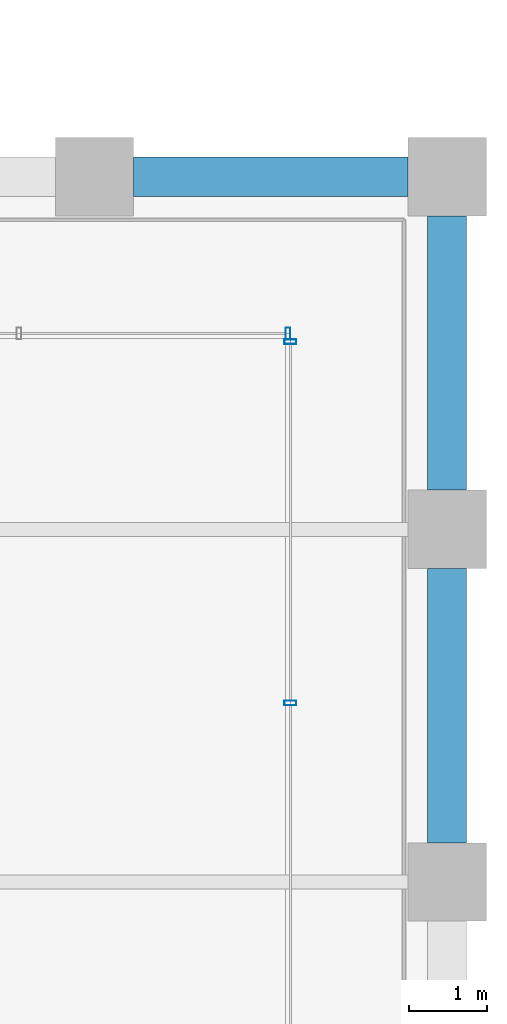
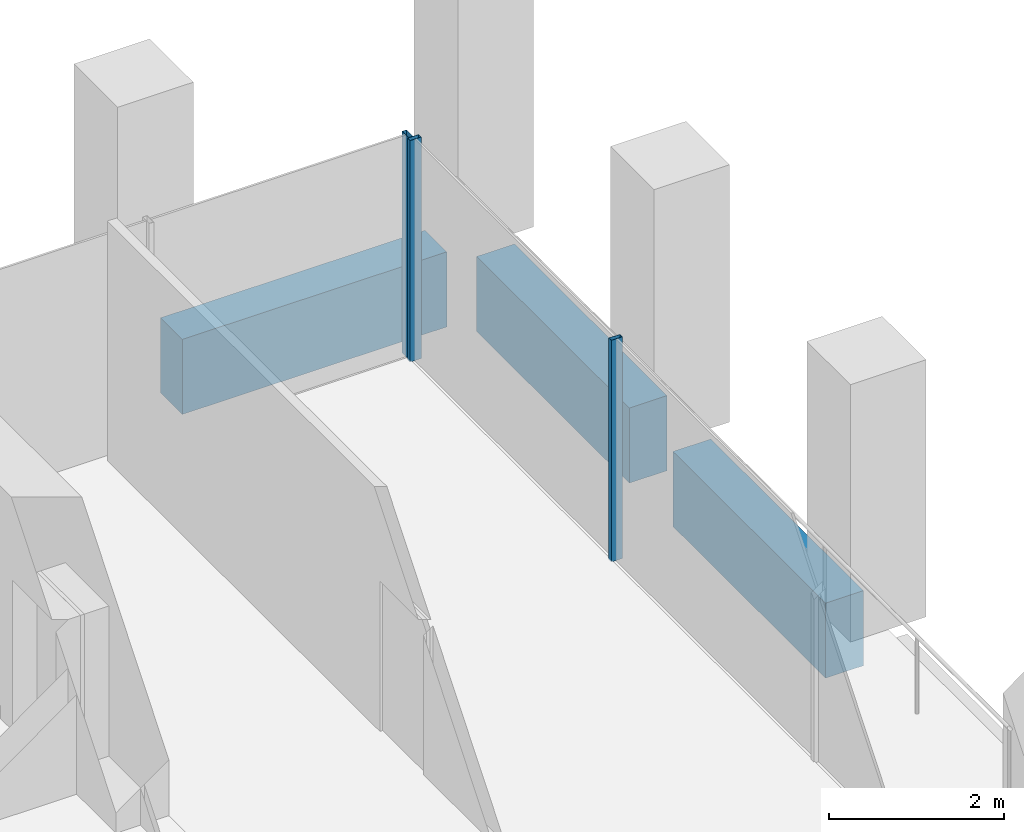
# One storey, part 38 of 45: 3 beams, 3 members, 2 elements without a shape of their own.
"""IFC4 building model written with IfcOpenShell, lengths in metres."""

from ifc_helpers import new_model, si_unit, direction, frame, origin, origin_2d, place, context, subcontext, project, spatial, rectangle, hollow_rectangle, extrude, material, material_profile, profile_set, type_object, element, aggregate, save


model = new_model("IFC4")

# Units and contexts
model_context = context("Model", 3, precision=1e-05, world=origin(), true_north=direction((0.0, 1.0)))
body_context = subcontext(model_context, "Body", "Model", "MODEL_VIEW")
ifc_project = project(units=[si_unit("LENGTHUNIT", "METRE"), si_unit("AREAUNIT", "SQUARE_METRE"), si_unit("VOLUMEUNIT", "CUBIC_METRE"), si_unit("PLANEANGLEUNIT", "RADIAN"), si_unit("MASSUNIT", "GRAM", prefix="KILO")], contexts=[model_context])

# Site, building, storey
site_placement = place(None, origin())
site = spatial("IfcSite", under=ifc_project, at=site_placement, CompositionType="ELEMENT")
building_placement = place(site_placement, origin())
building = spatial("IfcBuilding", under=site, at=building_placement, Name="Altepetl Exchange Towers", CompositionType="ELEMENT")
storey_placement = place(building_placement, frame((0.0, 0.0, 110.0)))
storey = spatial("IfcBuildingStorey", under=building, at=storey_placement, Name="L27", CompositionType="ELEMENT", Elevation=110.0)

# Curtain wall, members
ifc_material_1 = material(Name="Aluminium 6063-T6 glazing", Category="aluminium")
curtain_wall_type = type_object("IfcCurtainWallType", Name="Loggia glazing system", PredefinedType="NOTDEFINED", material=ifc_material_1)
curtain_wall_1_placement = place(storey_placement, origin())
curtain_wall_1 = element("IfcCurtainWall", 1, at=curtain_wall_1_placement, inside=storey, type_object=curtain_wall_type, Name="CW1 run", PredefinedType="NOTDEFINED")
ifc_material_2 = material(Name="Aluminium 6063-T6", Category="aluminium")
ifc_material_profile_1 = material_profile(ifc_material_2, hollow_rectangle(XDim=0.06005859375, YDim=0.14990234375, WallThickness=0.0029296875, at=origin_2d()), Name="Mullion 60x150 aluminium")
ifc_profile_set_1 = profile_set([ifc_material_profile_1], Name="Aluminium 6063-T6")
member_type = type_object("IfcMemberType", Name="Mullion 60x150 aluminium", PredefinedType="MULLION", material=ifc_profile_set_1)
member_1_placement = place(storey_placement, frame((124.0, 42.783447265625, 0.0), z_axis=(0.0, 0.0, 1.0), x_axis=(0.0, 1.0, 0.0)))
member_1 = element("IfcMember", 2, at=member_1_placement, type_object=member_type, Name="MU1 mullion", PredefinedType="MULLION", context=body_context, shape_type="SweptSolid", body=[
    extrude(hollow_rectangle(XDim=0.06005859375, YDim=0.14990234375, WallThickness=0.0029296875, at=origin_2d()), origin(), (0.0, 0.0, 1.0), 3.10009765625),
])
member_2_placement = place(storey_placement, frame((124.0, 47.39501953125, 0.0), z_axis=(0.0, 0.0, 1.0), x_axis=(0.0, 1.0, 0.0)))
member_2 = element("IfcMember", 3, at=member_2_placement, type_object=member_type, Name="MU1 mullion", PredefinedType="MULLION", context=body_context, shape_type="SweptSolid", body=[
    extrude(hollow_rectangle(XDim=0.06005859375, YDim=0.14990234375, WallThickness=0.0029296875, at=origin_2d()), origin(), (0.0, 0.0, 1.0), 3.10009765625),
])
aggregate(curtain_wall_1, [member_1, member_2])

# Curtain wall, member
curtain_wall_2_placement = place(storey_placement, origin())
curtain_wall_2 = element("IfcCurtainWall", 4, at=curtain_wall_2_placement, inside=storey, type_object=curtain_wall_type, Name="CW1 run", PredefinedType="NOTDEFINED")
member_3_placement = place(storey_placement, frame((123.969970703125, 47.5, 0.0), z_axis=(0.0, 0.0, 1.0), x_axis=(-1.0, 0.0, 0.0)))
member_3 = element("IfcMember", 5, at=member_3_placement, type_object=member_type, Name="MU1 mullion", PredefinedType="MULLION", context=body_context, shape_type="SweptSolid", body=[
    extrude(hollow_rectangle(XDim=0.06005859375, YDim=0.14990234375, WallThickness=0.0029296875, at=origin_2d()), origin(), (0.0, 0.0, 1.0), 3.10009765625),
])
aggregate(curtain_wall_2, [member_3])

# Beams
ifc_material_3 = material(Name="Concrete C50/60 precast with cantera amarilla facing", Category="concrete")
ifc_material_profile_2 = material_profile(ifc_material_3, rectangle(XDim=0.5, YDim=1.050048828125, at=origin_2d()), Name="500 x 1050")
ifc_profile_set_2 = profile_set([ifc_material_profile_2], Name="Concrete C50/60 precast with cantera amarilla facing")
beam_type_1 = type_object("IfcBeamType", Name="Spandrel beam 500x1050 cantera amarilla", PredefinedType="SPANDREL", material=ifc_profile_set_2)
beam_placement = place(storey_placement, frame((125.5, 49.5, -0.675048828125), z_axis=(-1.0, 0.0, 0.0), x_axis=(0.0, -1.0, 0.0)))
element("IfcBeam", 6, at=beam_placement, inside=storey, type_object=beam_type_1, Name="sp:B:L27:013", PredefinedType="SPANDREL", context=body_context, shape_type="SweptSolid", body=[
    extrude(rectangle(XDim=0.5, YDim=1.050048828125, at=origin_2d()), origin(), (0.0, 0.0, 1.0), 3.5),
])
ifc_material_4 = material(Name="Concrete C50/60 precast with cantera blanca facing", Category="concrete")
ifc_material_profile_3 = material_profile(ifc_material_4, rectangle(XDim=0.5, YDim=1.050048828125, at=origin_2d()), Name="500 x 1050")
ifc_profile_set_3 = profile_set([ifc_material_profile_3], Name="Concrete C50/60 precast with cantera blanca facing")
beam_type_2 = type_object("IfcBeamType", Name="Spandrel beam 500x1050 cantera blanca", PredefinedType="SPANDREL", material=ifc_profile_set_3)
for number, where, z_axis, x_axis, name in (
    (7, (126.0, 41.0, -0.675048828125), (0.0, 1.0, 0.0), (-1.0, 0.0, 0.0), "sp:B:L27:011"),
    (8, (126.0, 45.5, -0.675048828125), (0.0, 1.0, 0.0), (-1.0, 0.0, 0.0), "sp:B:L27:012"),
):
    element("IfcBeam", number, at=place(storey_placement, frame(where, z_axis=z_axis, x_axis=x_axis)), inside=storey, type_object=beam_type_2, Name=name, PredefinedType="SPANDREL", context=body_context, shape_type="SweptSolid", body=[
        extrude(rectangle(XDim=0.5, YDim=1.050048828125, at=origin_2d()), origin(), (0.0, 0.0, 1.0), 3.5),
    ])

save(model, "model.ifc")
